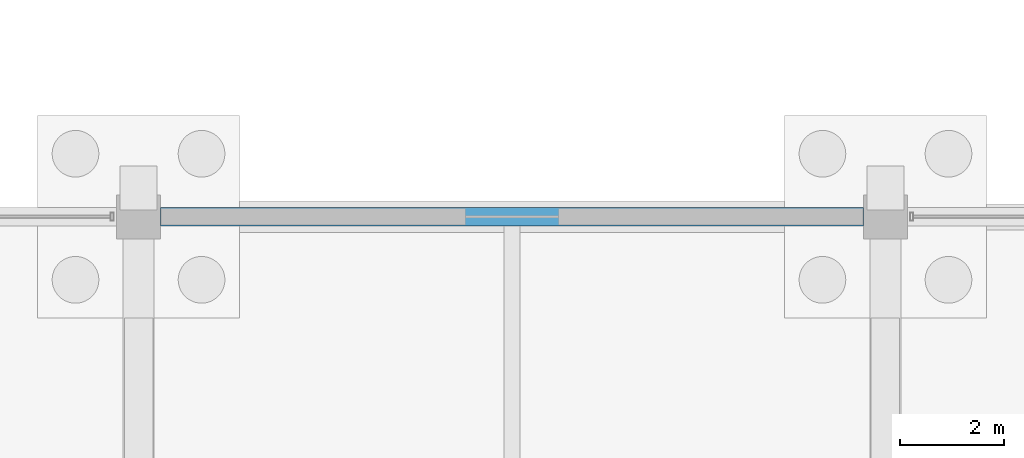
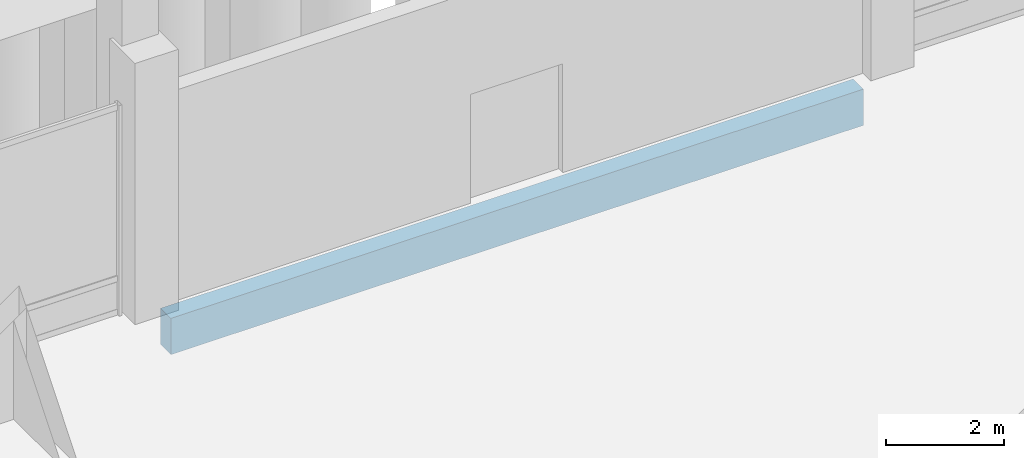
# One storey, part 58 of 192: 1 beam.
"""IFC4 building model written with IfcOpenShell, lengths in metres."""

from ifc_helpers import new_model, si_unit, direction, frame, origin, origin_2d, place, context, subcontext, project, spatial, rectangle, extrude, material, material_profile, profile_set, type_object, element, save


model = new_model("IFC4")

# Units and contexts
model_context = context("Model", 3, precision=1e-05, world=origin(), true_north=direction((0.0, 1.0)))
body_context = subcontext(model_context, "Body", "Model", "MODEL_VIEW")
ifc_project = project(units=[si_unit("LENGTHUNIT", "METRE"), si_unit("AREAUNIT", "SQUARE_METRE"), si_unit("VOLUMEUNIT", "CUBIC_METRE"), si_unit("PLANEANGLEUNIT", "RADIAN"), si_unit("MASSUNIT", "GRAM", prefix="KILO")], contexts=[model_context])

# Site, building, storey
site_placement = place(None, origin())
site = spatial("IfcSite", under=ifc_project, at=site_placement, CompositionType="ELEMENT")
building_placement = place(site_placement, origin())
building = spatial("IfcBuilding", under=site, at=building_placement, Name="Cendralis Lancet Convention Centre", CompositionType="ELEMENT")
storey_placement = place(building_placement, origin())
storey = spatial("IfcBuildingStorey", under=building, at=storey_placement, Name="L00", CompositionType="ELEMENT", Elevation=0.0)

# Beam
ifc_material = material(Name="Concrete G40 (C40/50)", Category="concrete")
ifc_material_profile = material_profile(ifc_material, rectangle(XDim=0.35009765625, YDim=0.75, at=origin_2d()), Name="RCB 350x750")
ifc_profile_set = profile_set([ifc_material_profile], Name="Concrete G40 (C40/50)")
beam_type = type_object("IfcBeamType", Name="STR-SP-SP01", PredefinedType="SPANDREL", material=ifc_profile_set)
beam_placement = place(storey_placement, frame((108.425048828125, 36.0, -0.695068359375), z_axis=(1.0, 0.0, 0.0), x_axis=(0.0, 1.0, 0.0)))
element("IfcBeam", 1, at=beam_placement, inside=storey, type_object=beam_type, Name="L00 Beam SP01 #0690", PredefinedType="SPANDREL", context=body_context, shape_type="SweptSolid", body=[
    extrude(rectangle(XDim=0.35009765625, YDim=0.75, at=origin_2d()), origin(), (0.0, 0.0, 1.0), 13.550048828125),
])

save(model, "model.ifc")
